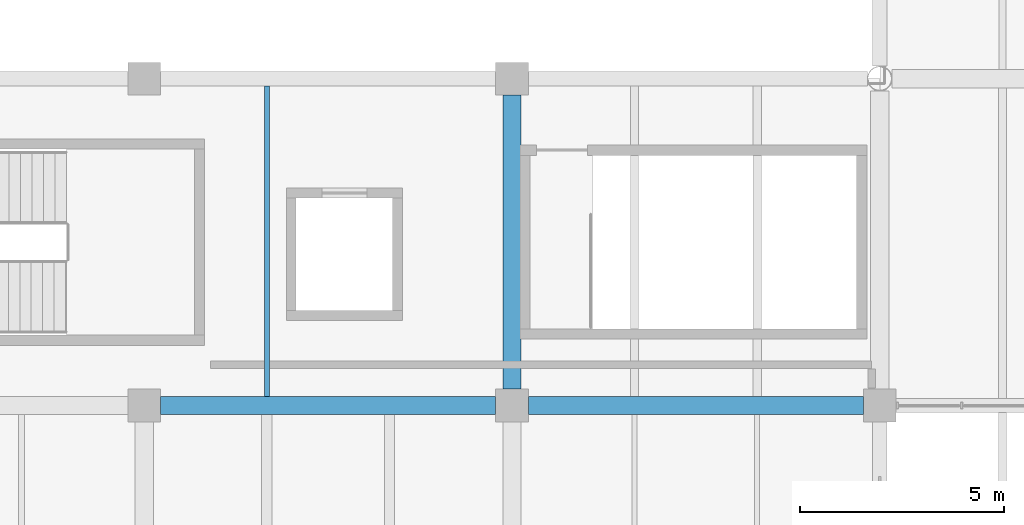
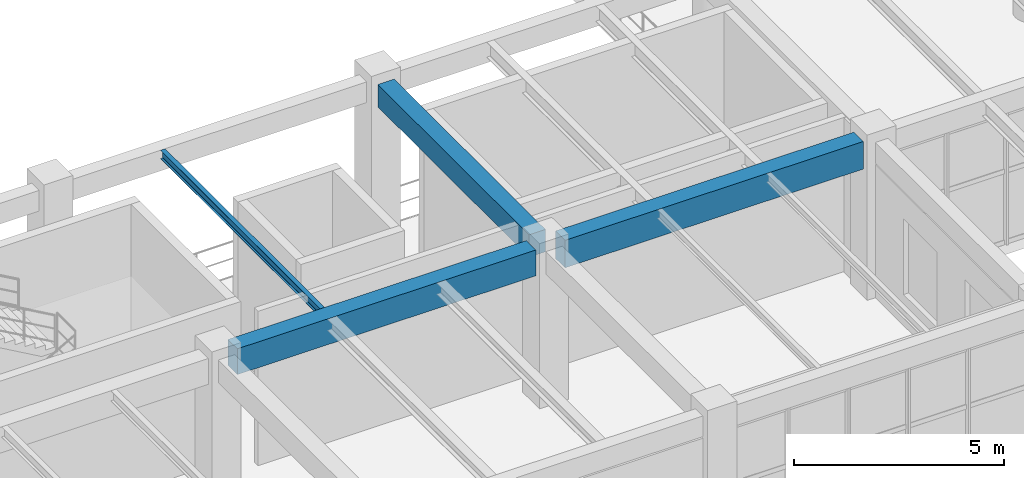
# One storey, part 34 of 178: 4 beams.
"""IFC4 building model written with IfcOpenShell, lengths in metres."""

import ifcopenshell
import ifcopenshell.guid

model = None  # the IFC model being written
_history = None  # IfcOwnerHistory: only IFC2X3 demands one
_inside = {}  # id of a spatial element -> (the spatial element, [elements in it])
_under = {}  # id of a project, library or spatial element -> (it, [spatial elements below it])
_declared = {}  # id of a project -> (the project, [libraries it declares])
_typed = {}  # id of a type object -> (the type object, [elements of that type])
_made_of = {}  # id of a material, layer set ... -> (it, [elements and type objects made of it])


def new_model(schema):
    """Start an empty IFC model of exactly this schema.

    Asked for "IFC4X3", IfcOpenShell would pick the latest addendum, in which some entities
    have other attributes; the version numbers below select the first issue.
    IFC2X3 requires an IfcOwnerHistory on every rooted entity: one is made here for all.
    """
    global model, _history
    if schema == "IFC4X3":
        model = ifcopenshell.file(schema_version=(4, 3, 0, 0))
    else:
        model = ifcopenshell.file(schema=schema)
    _inside.clear()
    _under.clear()
    _declared.clear()
    _typed.clear()
    _made_of.clear()
    _history = None
    if model.schema == "IFC2X3":
        org = make("IfcOrganization", Name="unknown")
        user = make(
            "IfcPersonAndOrganization",
            ThePerson=make("IfcPerson", FamilyName="unknown"),
            TheOrganization=org,
        )
        app = make(
            "IfcApplication",
            ApplicationDeveloper=org,
            Version="unknown",
            ApplicationFullName="unknown",
            ApplicationIdentifier="unknown",
        )
        _history = make(
            "IfcOwnerHistory",
            OwningUser=user,
            OwningApplication=app,
            ChangeAction="ADDED",
            CreationDate=0,
        )
    return model


def make(cls, **values):
    """One entity of the class cls with the attributes given. An attribute that is None is left unset."""
    return model.create_entity(
        cls, **{name: value for name, value in values.items() if value is not None}
    )


def rooted(cls, **values):
    """An entity with a GlobalId (a new one), such as an element, a storey or a relation."""
    return make(cls, GlobalId=ifcopenshell.guid.new(), OwnerHistory=_history, **values)


def si_unit(unit_type, name, prefix=None):
    """IfcSIUnit, for example si_unit("LENGTHUNIT", "METRE", prefix="MILLI")."""
    return make("IfcSIUnit", UnitType=unit_type, Prefix=prefix, Name=name)


def derived_unit(unit_type, elements):
    """IfcDerivedUnit: a product of units, each with its exponent."""
    return make(
        "IfcDerivedUnit",
        Elements=[
            make("IfcDerivedUnitElement", Unit=unit, Exponent=power)
            for unit, power in elements
        ],
        UnitType=unit_type,
    )


def assignment(units):
    """IfcUnitAssignment: the units of a project."""
    return None if units is None else make("IfcUnitAssignment", Units=units)


def point(xyz):
    """IfcCartesianPoint."""
    return None if xyz is None else make("IfcCartesianPoint", Coordinates=xyz)


def direction(xyz):
    """IfcDirection."""
    return None if xyz is None else make("IfcDirection", DirectionRatios=xyz)


def frame(location, z_axis=None, x_axis=None):
    """IfcAxis2Placement3D, a coordinate frame: its origin and axes. An axis left out is left unset."""
    return make(
        "IfcAxis2Placement3D",
        Location=point(location),
        Axis=direction(z_axis),
        RefDirection=direction(x_axis),
    )


def frame_2d(location, x_axis=None):
    """IfcAxis2Placement2D, a coordinate frame in the plane: its origin and x axis."""
    return make(
        "IfcAxis2Placement2D", Location=point(location), RefDirection=direction(x_axis)
    )


def origin():
    """The frame at (0, 0, 0) with its axes left unset."""
    return frame((0.0, 0.0, 0.0))


def origin_2d():
    """The frame at (0, 0) in the plane with its x axis left unset."""
    return frame_2d((0.0, 0.0))


def place(relative_to, where):
    """IfcLocalPlacement: puts the frame where relative to a parent placement (None: the world)."""
    return make(
        "IfcLocalPlacement", PlacementRelTo=relative_to, RelativePlacement=where
    )


def context(
    kind, dimensions, precision=None, world=None, true_north=None, identifier=None
):
    """IfcGeometricRepresentationContext, for example the 3D "Model" context."""
    return make(
        "IfcGeometricRepresentationContext",
        ContextIdentifier=identifier,
        ContextType=kind,
        CoordinateSpaceDimension=dimensions,
        Precision=precision,
        WorldCoordinateSystem=world,
        TrueNorth=true_north,
    )


def subcontext(parent, identifier, kind, view, scale=None):
    """IfcGeometricRepresentationSubContext, for example "Body" below "Model"."""
    return make(
        "IfcGeometricRepresentationSubContext",
        ContextIdentifier=identifier,
        ContextType=kind,
        ParentContext=parent,
        TargetScale=scale,
        TargetView=view,
    )


def project(units=None, contexts=None):
    """IfcProject with its units and contexts."""
    return rooted(
        "IfcProject",
        Name="project",
        RepresentationContexts=contexts,
        UnitsInContext=assignment(units),
    )


def spatial(cls, under=None, at=None, **own):
    """A site, building, storey or space (cls), placed at a placement, below another one or the project."""
    s = rooted(cls, ObjectPlacement=at, **own)
    if under is not None:
        _under.setdefault(under.id(), (under, []))[1].append(s)
    return s


def profile(cls, at=None, kind="AREA", **sizes):
    """A parametric profile (cls). Its sizes go by their IFC names, for example OverallWidth=200.0."""
    return make(cls, ProfileType=kind, Position=at, **sizes)


def rectangle(**sizes):
    """IfcRectangleProfileDef."""
    return profile("IfcRectangleProfileDef", **sizes)


def i_section(**sizes):
    """IfcIShapeProfileDef."""
    return profile("IfcIShapeProfileDef", **sizes)


def extrude(swept, where, along, depth):
    """IfcExtrudedAreaSolid: the profile swept, set in the frame where, extruded along a direction by depth."""
    return make(
        "IfcExtrudedAreaSolid",
        SweptArea=swept,
        Position=where,
        ExtrudedDirection=direction(along),
        Depth=depth,
    )


def shape(context_of_items, identifier, shape_type, items):
    """IfcShapeRepresentation: the items that make up one representation, for example the "Body"."""
    return make(
        "IfcShapeRepresentation",
        ContextOfItems=context_of_items,
        RepresentationIdentifier=identifier,
        RepresentationType=shape_type,
        Items=items,
    )


def material(Name=None, Category=None):
    """IfcMaterial."""
    return make("IfcMaterial", Name=Name, Category=Category)


def material_profile(
    of_material, cross_section, Name=None, Category=None, Priority=None
):
    """IfcMaterialProfile: a cross section and its material."""
    return make(
        "IfcMaterialProfile",
        Name=Name,
        Material=of_material,
        Profile=cross_section,
        Priority=Priority,
        Category=Category,
    )


def profile_set(profiles, Name=None, composite=None):
    """IfcMaterialProfileSet."""
    return make(
        "IfcMaterialProfileSet",
        Name=Name,
        MaterialProfiles=profiles,
        CompositeProfile=composite,
    )


def made_of(thing, what):
    """Note that an element or type object is made of a material, layer set ...; save() writes the relation."""
    if what is not None:
        _made_of.setdefault(what.id(), (what, []))[1].append(thing)
    return thing


def type_object(cls, material=None, **own):
    """A type object (cls), such as IfcWallType, which elements share."""
    return made_of(rooted(cls, **own), material)


def element(
    cls,
    number,
    at=None,
    inside=None,
    cuts=None,
    type_object=None,
    material=None,
    context=None,
    identifier="Body",
    shape_type=None,
    held_by="IfcProductDefinitionShape",
    body=None,
    shapes=None,
    **own,
):
    """One element of the class cls, such as IfcWall. Its Tag is "e" and its number.

    at: its placement. inside: the storey or other place that contains it. cuts: it is an
    opening in that element (IfcRelVoidsElement). A single representation is given by context,
    identifier, shape_type and body (its items); several are given by shapes. held_by: the class
    of the entity that holds the representations. save() writes the other relations.
    """
    e = rooted(cls, Tag="e%d" % number, ObjectPlacement=at, **own)
    if body is not None:
        shapes = [shape(context, identifier, shape_type, body)]
    if shapes is not None:
        e.Representation = make(held_by, Representations=shapes)
    if inside is not None:
        _inside.setdefault(inside.id(), (inside, []))[1].append(e)
    if cuts is not None:
        rooted(
            "IfcRelVoidsElement", RelatingBuildingElement=cuts, RelatedOpeningElement=e
        )
    if type_object is not None:
        _typed.setdefault(type_object.id(), (type_object, []))[1].append(e)
    return made_of(e, material)


def aggregate(whole, parts):
    """IfcRelAggregates: a whole, such as a stair, and the parts it consists of."""
    return rooted("IfcRelAggregates", RelatingObject=whole, RelatedObjects=parts)


def save(model, path):
    """Write the relations noted so far, then the file.

    IfcRelAggregates (storeys below a building ...), IfcRelContainedInSpatialStructure (elements
    in a storey), IfcRelDefinesByType, IfcRelAssociatesMaterial and IfcRelDeclares: one each for
    every whole, place, type object, material and project.
    """
    for whole, parts in _under.values():
        aggregate(whole, parts)
    for where, things in _inside.values():
        rooted(
            "IfcRelContainedInSpatialStructure",
            RelatedElements=things,
            RelatingStructure=where,
        )
    for kind, things in _typed.values():
        rooted("IfcRelDefinesByType", RelatedObjects=things, RelatingType=kind)
    for what, things in _made_of.values():
        rooted("IfcRelAssociatesMaterial", RelatedObjects=things, RelatingMaterial=what)
    for by, libraries in _declared.values():
        rooted("IfcRelDeclares", RelatingContext=by, RelatedDefinitions=libraries)
    model.write(path)


model = new_model("IFC4")

# Units and contexts
model_context = context("Model", 3, precision=1e-05, world=origin(), true_north=direction((0.0, 1.0)))
body_context = subcontext(model_context, "Body", "Model", "MODEL_VIEW")
ifc_project = project(units=[si_unit("LENGTHUNIT", "METRE"), si_unit("AREAUNIT", "SQUARE_METRE"), si_unit("VOLUMEUNIT", "CUBIC_METRE"), si_unit("PLANEANGLEUNIT", "RADIAN"), si_unit("MASSUNIT", "GRAM", prefix="KILO"), derived_unit("THERMALTRANSMITTANCEUNIT", [(si_unit("MASSUNIT", "GRAM", prefix="KILO"), 1), (si_unit("TIMEUNIT", "SECOND"), -3), (si_unit("THERMODYNAMICTEMPERATUREUNIT", "KELVIN"), -1)])], contexts=[model_context])

# Site, building, storey
site_placement = place(None, origin())
site = spatial("IfcSite", under=ifc_project, at=site_placement, CompositionType="ELEMENT")
building_placement = place(site_placement, origin())
building = spatial("IfcBuilding", under=site, at=building_placement, Name="Zhenchuan Archway Interchange", CompositionType="ELEMENT")
storey_placement = place(building_placement, frame((0.0, 0.0, 5.39990234375)))
storey = spatial("IfcBuildingStorey", under=building, at=storey_placement, Name="L01", CompositionType="ELEMENT", Elevation=5.39990234375)

# Beams
ifc_material_1 = material(Name="Concrete C40", Category="concrete")
ifc_material_profile_1 = material_profile(ifc_material_1, rectangle(XDim=0.449951171875, YDim=0.64990234375, at=origin_2d()), Name="RC 450x650")
ifc_profile_set_1 = profile_set([ifc_material_profile_1], Name="Concrete C40")
beam_type_1 = type_object("IfcBeamType", Name="BM_RC_450x650", PredefinedType="BEAM", material=ifc_profile_set_1)
beam_1_placement = place(storey_placement, frame((54.0, 24.39990234375, 4.18505859375), z_axis=(0.0, 1.0, 0.0), x_axis=(-1.0, 0.0, 0.0)))
element("IfcBeam", 1, at=beam_1_placement, inside=storey, type_object=beam_type_1, Name="Beam 7:D-E (L01)", PredefinedType="BEAM", context=body_context, shape_type="SweptSolid", body=[
    extrude(rectangle(XDim=0.449951171875, YDim=0.64990234375, at=origin_2d()), origin(), (0.0, 0.0, 1.0), 7.2001953125),
])
ifc_material_profile_2 = material_profile(ifc_material_1, rectangle(XDim=0.449951171875, YDim=0.75, at=origin_2d()), Name="RC 450x750")
ifc_profile_set_2 = profile_set([ifc_material_profile_2], Name="Concrete C40")
beam_type_2 = type_object("IfcBeamType", Name="BM_RC_450x750", PredefinedType="BEAM", material=ifc_profile_set_2)
beam_2_placement = place(storey_placement, frame((45.39990234375, 24.0, 4.135009765625), z_axis=(1.0, 0.0, 0.0), x_axis=(0.0, 1.0, 0.0)))
element("IfcBeam", 2, at=beam_2_placement, inside=storey, type_object=beam_type_2, Name="Beam D:6-7 (L01)", PredefinedType="BEAM", context=body_context, shape_type="SweptSolid", body=[
    extrude(rectangle(XDim=0.449951171875, YDim=0.75, at=origin_2d()), origin(), (0.0, 0.0, 1.0), 8.2001953125),
])
ifc_material_profile_3 = material_profile(ifc_material_1, rectangle(XDim=0.449951171875, YDim=0.800048828125, at=origin_2d()), Name="RC 450x800")
ifc_profile_set_3 = profile_set([ifc_material_profile_3], Name="Concrete C40")
beam_type_3 = type_object("IfcBeamType", Name="BM_RC_450x800", PredefinedType="BEAM", material=ifc_profile_set_3)
beam_3_placement = place(storey_placement, frame((54.39990234375, 24.0, 4.110107421875), z_axis=(1.0, 0.0, 0.0), x_axis=(0.0, 1.0, 0.0)))
element("IfcBeam", 3, at=beam_3_placement, inside=storey, type_object=beam_type_3, Name="Beam D:7-8 (L01)", PredefinedType="BEAM", context=body_context, shape_type="SweptSolid", body=[
    extrude(rectangle(XDim=0.449951171875, YDim=0.800048828125, at=origin_2d()), origin(), (0.0, 0.0, 1.0), 8.2001953125),
])
ifc_material_2 = material(Name="Steel Q355", Category="steel")
ifc_material_profile_4 = material_profile(ifc_material_2, i_section(OverallWidth=0.125, OverallDepth=0.25, WebThickness=0.006103515625, FlangeThickness=0.009033203125, FilletRadius=0.011962890625, at=origin_2d()), Name="HN 250x125")
ifc_profile_set_4 = profile_set([ifc_material_profile_4], Name="Steel Q355")
beam_type_4 = type_object("IfcBeamType", Name="JST_STL_HN250", PredefinedType="JOIST", material=ifc_profile_set_4)
beam_4_placement = place(storey_placement, frame((48.0, 24.22509765625, 4.385009765625), z_axis=(0.0, 1.0, 0.0), x_axis=(-1.0, 0.0, 0.0)))
element("IfcBeam", 4, at=beam_4_placement, inside=storey, type_object=beam_type_4, Name="Secondary joist 6-7/D-E #1 (L01)", PredefinedType="JOIST", context=body_context, shape_type="SweptSolid", body=[
    extrude(i_section(OverallWidth=0.125, OverallDepth=0.25, WebThickness=0.006103515625, FlangeThickness=0.009033203125, FilletRadius=0.011962890625, at=origin_2d()), origin(), (0.0, 0.0, 1.0), 7.599853515625),
])

save(model, "model.ifc")
